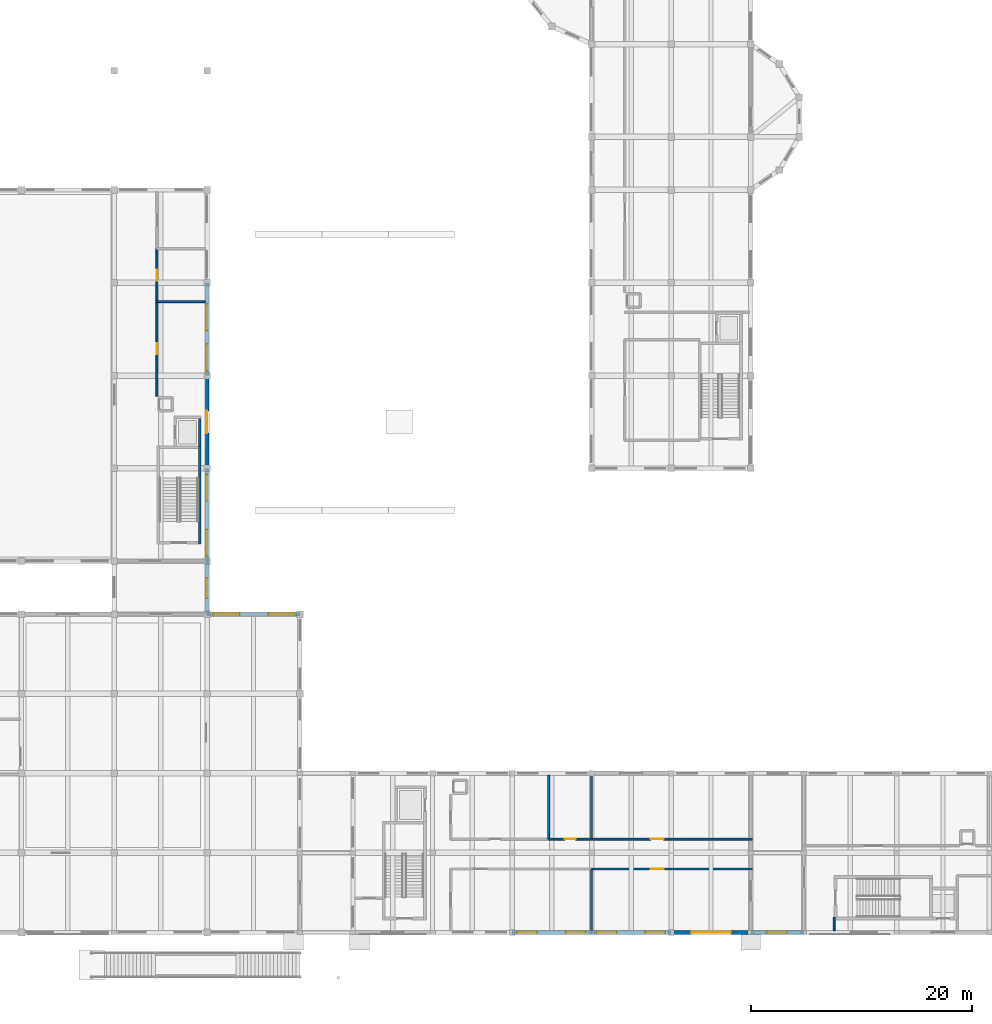
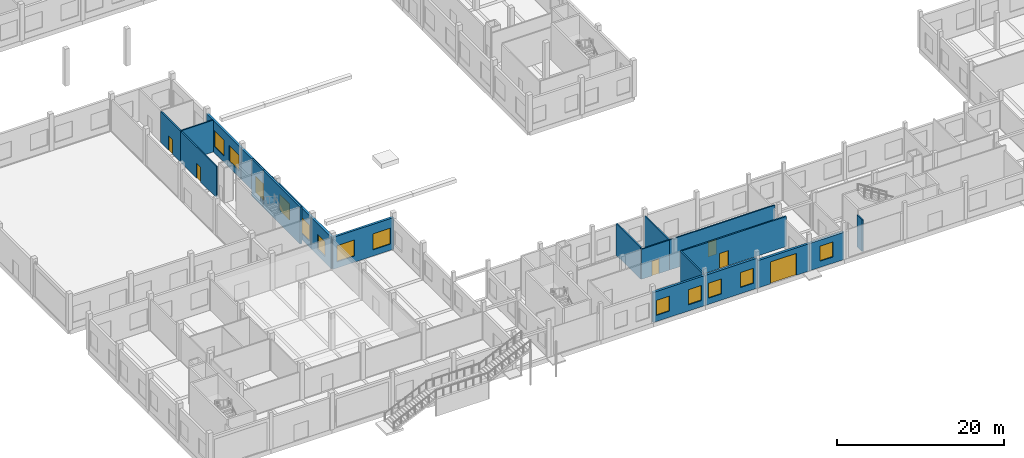
# One storey, part 18 of 41: 21 walls, 12 windows, 7 doors, 19 openings.
"""IFC4 building model written with IfcOpenShell, lengths in metres."""

from ifc_helpers import new_model, si_unit, direction, frame, frame_2d, origin, place, context, subcontext, project, spatial, rectangle, extrude, material, layer, layer_set, type_object, element, fill, save


model = new_model("IFC4")

# Units and contexts
model_context = context("Model", 3, precision=1e-05, world=origin(), true_north=direction((0.0, 1.0)))
body_context = subcontext(model_context, "Body", "Model", "MODEL_VIEW")
ifc_project = project(units=[si_unit("LENGTHUNIT", "METRE"), si_unit("AREAUNIT", "SQUARE_METRE"), si_unit("VOLUMEUNIT", "CUBIC_METRE"), si_unit("PLANEANGLEUNIT", "RADIAN"), si_unit("MASSUNIT", "GRAM", prefix="KILO")], contexts=[model_context])

# Site, building, storey
site_placement = place(None, origin())
site = spatial("IfcSite", under=ifc_project, at=site_placement, CompositionType="ELEMENT")
building_placement = place(site_placement, origin())
building = spatial("IfcBuilding", under=site, at=building_placement, Name="Kahlenmark Community Centre", CompositionType="ELEMENT")
storey_placement = place(building_placement, origin())
storey = spatial("IfcBuildingStorey", under=building, at=storey_placement, Name="L00", CompositionType="ELEMENT", Elevation=0.0)

# Walls
ifc_material_1 = material(Name="Concrete C35/45", Category="concrete")
ifc_layer_1 = layer(ifc_material_1, 0.25)
ifc_layer_set_1 = layer_set([ifc_layer_1], Name="Concrete C35/45")
wall_type_1 = type_object("IfcWallType", Name="WT-CORE-250", PredefinedType="SHEAR", material=ifc_layer_set_1)
wall_1_placement = place(storey_placement, frame((36.925048828125, 43.949951171875, 0.0), z_axis=(0.0, 0.0, 1.0), x_axis=(0.0, 1.0, 0.0)))
element("IfcWall", 1, at=wall_1_placement, inside=storey, type_object=wall_type_1, Name="Core K2 shear wall WL-CORE-K2-L00-0046", PredefinedType="SHEAR", context=body_context, shape_type="SweptSolid", body=[
    extrude(rectangle(XDim=8.900146484375, YDim=0.25, at=frame_2d((4.4501953125, 0.0))), origin(), (0.0, 0.0, 1.0), 5.39990234375),
])
wall_2_placement = place(storey_placement, frame((36.925048828125, 52.85009765625, 0.0), z_axis=(0.0, 0.0, 1.0), x_axis=(0.0, 1.0, 0.0)))
element("IfcWall", 2, at=wall_2_placement, inside=storey, type_object=wall_type_1, Name="Core K2 shear wall WL-CORE-K2-L00-0049", PredefinedType="SHEAR", context=body_context, shape_type="SweptSolid", body=[
    extrude(rectangle(XDim=2.7099609375, YDim=0.25, at=frame_2d((1.35498046875, 0.0))), origin(), (0.0, 0.0, 1.0), 5.39990234375),
])

# Wall, openings, windows
ifc_material_2 = material(Name="Danube limestone masonry", Category="masonry")
ifc_layer_2 = layer(ifc_material_2, 0.320068359375)
ifc_layer_set_2 = layer_set([ifc_layer_2], Name="Danube limestone masonry")
wall_type_2 = type_object("IfcWallType", Name="WT-EW-320", PredefinedType="SOLIDWALL", material=ifc_layer_set_2)
wall_3_placement = place(storey_placement, frame((46.0, 37.60009765625, 0.0), z_axis=(0.0, 0.0, 1.0), x_axis=(-1.0, 0.0, 0.0)))
wall_3 = element("IfcWall", 3, at=wall_3_placement, inside=storey, type_object=wall_type_2, Name="Exterior wall WL-EXT-L00-0143", PredefinedType="SOLIDWALL", context=body_context, shape_type="SweptSolid", body=[
    extrude(rectangle(XDim=8.39990234375, YDim=0.320068359375, at=frame_2d((4.199951171875, 0.0))), origin(), (0.0, 0.0, 1.0), 4.639892578125),
])
opening_1_placement = place(wall_3_placement, frame((0.4599609375, 0.0, 0.89990234375)))
opening_1 = element("IfcOpeningElement", 4, at=opening_1_placement, cuts=wall_3, Name="Opening W-240X235", PredefinedType="OPENING", context=body_context, shape_type="SweptSolid", body=[
    extrude(rectangle(XDim=2.39990234375, YDim=2.35009765625, at=frame_2d((1.199951171875, 1.175048828125))), frame((0.0, 0.169921875, 0.0), z_axis=(0.0, -1.0, 0.0), x_axis=(1.0, 0.0, 0.0)), (0.0, 0.0, 1.0), 0.340087890625),
])
opening_2_placement = place(wall_3_placement, frame((5.4599609375, 0.0, 0.89990234375)))
opening_2 = element("IfcOpeningElement", 5, at=opening_2_placement, cuts=wall_3, Name="Opening W-240X235", PredefinedType="OPENING", context=body_context, shape_type="SweptSolid", body=[
    extrude(rectangle(XDim=2.39990234375, YDim=2.35009765625, at=frame_2d((1.199951171875, 1.175048828125))), frame((0.0, 0.169921875, 0.0), z_axis=(0.0, -1.0, 0.0), x_axis=(1.0, 0.0, 0.0)), (0.0, 0.0, 1.0), 0.340087890625),
])
ifc_material_3 = material(Name="Triple low-e insulated glazing in timber-aluminium frame", Category="wood")
window_type_1 = type_object("IfcWindowType", Name="WNT-240X235", PartitioningType="TRIPLE_PANEL_VERTICAL", PredefinedType="WINDOW", material=ifc_material_3)
window_1_placement = place(opening_1_placement, origin())
window_1 = element("IfcWindow", 6, at=window_1_placement, inside=storey, type_object=window_type_1, Name="Window W-240X235 #0012", OverallHeight=2.35009765625, OverallWidth=2.39990234375, PartitioningType="TRIPLE_PANEL_VERTICAL", PredefinedType="WINDOW", context=body_context, shape_type="SweptSolid", body=[
    extrude(rectangle(XDim=2.39990234375, YDim=2.35009765625, at=frame_2d((1.199951171875, 1.175048828125))), frame((0.0, 0.030029296875, 0.0), z_axis=(0.0, -1.0, 0.0), x_axis=(1.0, 0.0, 0.0)), (0.0, 0.0, 1.0), 0.06005859375),
])
fill(opening_1, window_1)
window_2_placement = place(opening_2_placement, origin())
window_2 = element("IfcWindow", 7, at=window_2_placement, inside=storey, type_object=window_type_1, Name="Window W-240X235 #0013", OverallHeight=2.35009765625, OverallWidth=2.39990234375, PartitioningType="TRIPLE_PANEL_VERTICAL", PredefinedType="WINDOW", context=body_context, shape_type="SweptSolid", body=[
    extrude(rectangle(XDim=2.39990234375, YDim=2.35009765625, at=frame_2d((1.199951171875, 1.175048828125))), frame((0.0, 0.030029296875, 0.0), z_axis=(0.0, -1.0, 0.0), x_axis=(1.0, 0.0, 0.0)), (0.0, 0.0, 1.0), 0.06005859375),
])
fill(opening_2, window_2)

wall_4_placement = place(storey_placement, frame((37.60009765625, 42.39990234375, 0.0), z_axis=(0.0, 0.0, 1.0), x_axis=(0.0, 1.0, 0.0)))
wall_4 = element("IfcWall", 8, at=wall_4_placement, inside=storey, type_object=wall_type_2, Name="Exterior wall WL-EXT-L00-0163", PredefinedType="SOLIDWALL", context=body_context, shape_type="SweptSolid", body=[
    extrude(rectangle(XDim=8.400146484375, YDim=0.320068359375, at=frame_2d((4.2001953125, 0.0))), origin(), (0.0, 0.0, 1.0), 4.639892578125),
])
opening_3_placement = place(wall_4_placement, frame((0.4599609375, 0.0, 0.89990234375)))
opening_3 = element("IfcOpeningElement", 9, at=opening_3_placement, cuts=wall_4, Name="Opening W-240X235", PredefinedType="OPENING", context=body_context, shape_type="SweptSolid", body=[
    extrude(rectangle(XDim=2.39990234375, YDim=2.35009765625, at=frame_2d((1.199951171875, 1.175048828125))), frame((0.0, 0.169921875, 0.0), z_axis=(0.0, -1.0, 0.0), x_axis=(1.0, 0.0, 0.0)), (0.0, 0.0, 1.0), 0.340087890625),
])
opening_4_placement = place(wall_4_placement, frame((5.4599609375, 0.0, 0.89990234375)))
opening_4 = element("IfcOpeningElement", 10, at=opening_4_placement, cuts=wall_4, Name="Opening W-240X235", PredefinedType="OPENING", context=body_context, shape_type="SweptSolid", body=[
    extrude(rectangle(XDim=2.39990234375, YDim=2.35009765625, at=frame_2d((1.199951171875, 1.175048828125))), frame((0.0, 0.169921875, 0.0), z_axis=(0.0, -1.0, 0.0), x_axis=(1.0, 0.0, 0.0)), (0.0, 0.0, 1.0), 0.340087890625),
])
window_3_placement = place(opening_3_placement, origin())
window_3 = element("IfcWindow", 11, at=window_3_placement, inside=storey, type_object=window_type_1, Name="Window W-240X235 #0042", OverallHeight=2.35009765625, OverallWidth=2.39990234375, PartitioningType="TRIPLE_PANEL_VERTICAL", PredefinedType="WINDOW", context=body_context, shape_type="SweptSolid", body=[
    extrude(rectangle(XDim=2.39990234375, YDim=2.35009765625, at=frame_2d((1.199951171875, 1.175048828125))), frame((0.0, 0.030029296875, 0.0), z_axis=(0.0, -1.0, 0.0), x_axis=(1.0, 0.0, 0.0)), (0.0, 0.0, 1.0), 0.06005859375),
])
fill(opening_3, window_3)
window_4_placement = place(opening_4_placement, origin())
window_4 = element("IfcWindow", 12, at=window_4_placement, inside=storey, type_object=window_type_1, Name="Window W-240X235 #0043", OverallHeight=2.35009765625, OverallWidth=2.39990234375, PartitioningType="TRIPLE_PANEL_VERTICAL", PredefinedType="WINDOW", context=body_context, shape_type="SweptSolid", body=[
    extrude(rectangle(XDim=2.39990234375, YDim=2.35009765625, at=frame_2d((1.199951171875, 1.175048828125))), frame((0.0, 0.030029296875, 0.0), z_axis=(0.0, -1.0, 0.0), x_axis=(1.0, 0.0, 0.0)), (0.0, 0.0, 1.0), 0.06005859375),
])
fill(opening_4, window_4)

# Wall, opening, door
wall_5_placement = place(storey_placement, frame((37.60009765625, 50.800048828125, 0.0), z_axis=(0.0, 0.0, 1.0), x_axis=(0.0, 1.0, 0.0)))
wall_5 = element("IfcWall", 13, at=wall_5_placement, inside=storey, type_object=wall_type_2, Name="Exterior wall WL-EXT-L00-0164", PredefinedType="SOLIDWALL", context=body_context, shape_type="SweptSolid", body=[
    extrude(rectangle(XDim=8.39990234375, YDim=0.320068359375, at=frame_2d((4.199951171875, 0.0))), origin(), (0.0, 0.0, 1.0), 4.5400390625),
])
opening_5_placement = place(wall_5_placement, frame((3.199951171875, 0.0, -0.010009765625)))
opening_5 = element("IfcOpeningElement", 14, at=opening_5_placement, cuts=wall_5, Name="Opening D-E03", PredefinedType="OPENING", context=body_context, shape_type="SweptSolid", body=[
    extrude(rectangle(XDim=2.0, YDim=2.409912109375, at=frame_2d((1.0, 1.205078125))), frame((0.0, 0.169921875, 0.0), z_axis=(0.0, -1.0, 0.0), x_axis=(1.0, 0.0, 0.0)), (0.0, 0.0, 1.0), 0.340087890625),
])
ifc_material_4 = material(Name="Thermally broken glazed aluminium double entrance door", Category="aluminium")
door_type_1 = type_object("IfcDoorType", Name="DT-EXT-200X240", OperationType="NOTDEFINED", PredefinedType="DOOR", material=ifc_material_4)
door_1_placement = place(opening_5_placement, frame((0.0, 0.0, 0.010009765625)))
door_1 = element("IfcDoor", 15, at=door_1_placement, inside=storey, type_object=door_type_1, Name="Exterior door D-E03", OperationType="DOUBLE_SWING_LEFT", OverallHeight=2.39990234375, OverallWidth=2.0, PredefinedType="DOOR", context=body_context, shape_type="SweptSolid", body=[
    extrude(rectangle(XDim=2.0, YDim=2.39990234375, at=frame_2d((1.0, 1.199951171875))), frame((0.0, 0.02490234375, 0.0), z_axis=(0.0, -1.0, 0.0), x_axis=(1.0, 0.0, 0.0)), (0.0, 0.0, 1.0), 0.050048828125),
])
fill(opening_5, door_1)

# Wall, openings, windows
wall_6_placement = place(storey_placement, frame((37.60009765625, 59.199951171875, 0.0), z_axis=(0.0, 0.0, 1.0), x_axis=(0.0, 1.0, 0.0)))
wall_6 = element("IfcWall", 16, at=wall_6_placement, inside=storey, type_object=wall_type_2, Name="Exterior wall WL-EXT-L00-0165", PredefinedType="SOLIDWALL", context=body_context, shape_type="SweptSolid", body=[
    extrude(rectangle(XDim=8.400146484375, YDim=0.320068359375, at=frame_2d((4.2001953125, 0.0))), origin(), (0.0, 0.0, 1.0), 4.5400390625),
])
opening_6_placement = place(wall_6_placement, frame((0.4599609375, 0.0, 0.89990234375)))
opening_6 = element("IfcOpeningElement", 17, at=opening_6_placement, cuts=wall_6, Name="Opening W-240X235", PredefinedType="OPENING", context=body_context, shape_type="SweptSolid", body=[
    extrude(rectangle(XDim=2.39990234375, YDim=2.35009765625, at=frame_2d((1.199951171875, 1.175048828125))), frame((0.0, 0.169921875, 0.0), z_axis=(0.0, -1.0, 0.0), x_axis=(1.0, 0.0, 0.0)), (0.0, 0.0, 1.0), 0.340087890625),
])
opening_7_placement = place(wall_6_placement, frame((4.06005859375, 0.0, 0.89990234375)))
opening_7 = element("IfcOpeningElement", 18, at=opening_7_placement, cuts=wall_6, Name="Opening W-240X235", PredefinedType="OPENING", context=body_context, shape_type="SweptSolid", body=[
    extrude(rectangle(XDim=2.39990234375, YDim=2.35009765625, at=frame_2d((1.199951171875, 1.175048828125))), frame((0.0, 0.169921875, 0.0), z_axis=(0.0, -1.0, 0.0), x_axis=(1.0, 0.0, 0.0)), (0.0, 0.0, 1.0), 0.340087890625),
])
window_5_placement = place(opening_6_placement, origin())
window_5 = element("IfcWindow", 19, at=window_5_placement, inside=storey, type_object=window_type_1, Name="Window W-240X235 #0044", OverallHeight=2.35009765625, OverallWidth=2.39990234375, PartitioningType="TRIPLE_PANEL_VERTICAL", PredefinedType="WINDOW", context=body_context, shape_type="SweptSolid", body=[
    extrude(rectangle(XDim=2.39990234375, YDim=2.35009765625, at=frame_2d((1.199951171875, 1.175048828125))), frame((0.0, 0.030029296875, 0.0), z_axis=(0.0, -1.0, 0.0), x_axis=(1.0, 0.0, 0.0)), (0.0, 0.0, 1.0), 0.06005859375),
])
fill(opening_6, window_5)
window_6_placement = place(opening_7_placement, origin())
window_6 = element("IfcWindow", 20, at=window_6_placement, inside=storey, type_object=window_type_1, Name="Window W-240X235 #0045", OverallHeight=2.35009765625, OverallWidth=2.39990234375, PartitioningType="TRIPLE_PANEL_VERTICAL", PredefinedType="WINDOW", context=body_context, shape_type="SweptSolid", body=[
    extrude(rectangle(XDim=2.39990234375, YDim=2.35009765625, at=frame_2d((1.199951171875, 1.175048828125))), frame((0.0, 0.030029296875, 0.0), z_axis=(0.0, -1.0, 0.0), x_axis=(1.0, 0.0, 0.0)), (0.0, 0.0, 1.0), 0.06005859375),
])
fill(opening_7, window_6)

wall_7_placement = place(storey_placement, frame((65.199951171875, 8.800048828125, 0.0), z_axis=(0.0, 0.0, 1.0), x_axis=(1.0, 0.0, 0.0)))
wall_7 = element("IfcWall", 21, at=wall_7_placement, inside=storey, type_object=wall_type_2, Name="Exterior wall WL-EXT-L00-0169", PredefinedType="SOLIDWALL", context=body_context, shape_type="SweptSolid", body=[
    extrude(rectangle(XDim=7.199951171875, YDim=0.320068359375, at=frame_2d((3.60009765625, 0.0))), origin(), (0.0, 0.0, 1.0), 4.389892578125),
])
opening_8_placement = place(wall_7_placement, frame((0.4599609375, 0.0, 0.89990234375)))
opening_8 = element("IfcOpeningElement", 22, at=opening_8_placement, cuts=wall_7, Name="Opening W-180X220", PredefinedType="OPENING", context=body_context, shape_type="SweptSolid", body=[
    extrude(rectangle(XDim=1.800048828125, YDim=2.199951171875, at=frame_2d((0.89990234375, 1.10009765625))), frame((0.0, 0.169921875, 0.0), z_axis=(0.0, -1.0, 0.0), x_axis=(1.0, 0.0, 0.0)), (0.0, 0.0, 1.0), 0.340087890625),
])
opening_9_placement = place(wall_7_placement, frame((4.860107421875, 0.0, 0.89990234375)))
opening_9 = element("IfcOpeningElement", 23, at=opening_9_placement, cuts=wall_7, Name="Opening W-180X220", PredefinedType="OPENING", context=body_context, shape_type="SweptSolid", body=[
    extrude(rectangle(XDim=1.800048828125, YDim=2.199951171875, at=frame_2d((0.89990234375, 1.10009765625))), frame((0.0, 0.169921875, 0.0), z_axis=(0.0, -1.0, 0.0), x_axis=(1.0, 0.0, 0.0)), (0.0, 0.0, 1.0), 0.340087890625),
])
window_type_2 = type_object("IfcWindowType", Name="WNT-180X220", PartitioningType="DOUBLE_PANEL_VERTICAL", PredefinedType="WINDOW", material=ifc_material_3)
window_7_placement = place(opening_8_placement, origin())
window_7 = element("IfcWindow", 24, at=window_7_placement, inside=storey, type_object=window_type_2, Name="Window W-180X220 #0050", OverallHeight=2.199951171875, OverallWidth=1.800048828125, PartitioningType="DOUBLE_PANEL_VERTICAL", PredefinedType="WINDOW", context=body_context, shape_type="SweptSolid", body=[
    extrude(rectangle(XDim=1.800048828125, YDim=2.199951171875, at=frame_2d((0.89990234375, 1.10009765625))), frame((0.0, 0.030029296875, 0.0), z_axis=(0.0, -1.0, 0.0), x_axis=(1.0, 0.0, 0.0)), (0.0, 0.0, 1.0), 0.06005859375),
])
fill(opening_8, window_7)
window_8_placement = place(opening_9_placement, origin())
window_8 = element("IfcWindow", 25, at=window_8_placement, inside=storey, type_object=window_type_2, Name="Window W-180X220 #0051", OverallHeight=2.199951171875, OverallWidth=1.800048828125, PartitioningType="DOUBLE_PANEL_VERTICAL", PredefinedType="WINDOW", context=body_context, shape_type="SweptSolid", body=[
    extrude(rectangle(XDim=1.800048828125, YDim=2.199951171875, at=frame_2d((0.89990234375, 1.10009765625))), frame((0.0, 0.030029296875, 0.0), z_axis=(0.0, -1.0, 0.0), x_axis=(1.0, 0.0, 0.0)), (0.0, 0.0, 1.0), 0.06005859375),
])
fill(opening_9, window_8)

wall_8_placement = place(storey_placement, frame((72.39990234375, 8.800048828125, 0.0), z_axis=(0.0, 0.0, 1.0), x_axis=(1.0, 0.0, 0.0)))
wall_8 = element("IfcWall", 26, at=wall_8_placement, inside=storey, type_object=wall_type_2, Name="Exterior wall WL-EXT-L00-0170", PredefinedType="SOLIDWALL", context=body_context, shape_type="SweptSolid", body=[
    extrude(rectangle(XDim=7.2001953125, YDim=0.320068359375, at=frame_2d((3.60009765625, 0.0))), origin(), (0.0, 0.0, 1.0), 4.389892578125),
])
opening_10_placement = place(wall_8_placement, frame((0.4599609375, 0.0, 0.89990234375)))
opening_10 = element("IfcOpeningElement", 27, at=opening_10_placement, cuts=wall_8, Name="Opening W-180X220", PredefinedType="OPENING", context=body_context, shape_type="SweptSolid", body=[
    extrude(rectangle(XDim=1.800048828125, YDim=2.199951171875, at=frame_2d((0.89990234375, 1.10009765625))), frame((0.0, 0.169921875, 0.0), z_axis=(0.0, -1.0, 0.0), x_axis=(1.0, 0.0, 0.0)), (0.0, 0.0, 1.0), 0.340087890625),
])
opening_11_placement = place(wall_8_placement, frame((4.860107421875, 0.0, 0.89990234375)))
opening_11 = element("IfcOpeningElement", 28, at=opening_11_placement, cuts=wall_8, Name="Opening W-180X220", PredefinedType="OPENING", context=body_context, shape_type="SweptSolid", body=[
    extrude(rectangle(XDim=1.800048828125, YDim=2.199951171875, at=frame_2d((0.89990234375, 1.10009765625))), frame((0.0, 0.169921875, 0.0), z_axis=(0.0, -1.0, 0.0), x_axis=(1.0, 0.0, 0.0)), (0.0, 0.0, 1.0), 0.340087890625),
])
window_9_placement = place(opening_10_placement, origin())
window_9 = element("IfcWindow", 29, at=window_9_placement, inside=storey, type_object=window_type_2, Name="Window W-180X220 #0052", OverallHeight=2.199951171875, OverallWidth=1.800048828125, PartitioningType="DOUBLE_PANEL_VERTICAL", PredefinedType="WINDOW", context=body_context, shape_type="SweptSolid", body=[
    extrude(rectangle(XDim=1.800048828125, YDim=2.199951171875, at=frame_2d((0.89990234375, 1.10009765625))), frame((0.0, 0.030029296875, 0.0), z_axis=(0.0, -1.0, 0.0), x_axis=(1.0, 0.0, 0.0)), (0.0, 0.0, 1.0), 0.06005859375),
])
fill(opening_10, window_9)
window_10_placement = place(opening_11_placement, origin())
window_10 = element("IfcWindow", 30, at=window_10_placement, inside=storey, type_object=window_type_2, Name="Window W-180X220 #0053", OverallHeight=2.199951171875, OverallWidth=1.800048828125, PartitioningType="DOUBLE_PANEL_VERTICAL", PredefinedType="WINDOW", context=body_context, shape_type="SweptSolid", body=[
    extrude(rectangle(XDim=1.800048828125, YDim=2.199951171875, at=frame_2d((0.89990234375, 1.10009765625))), frame((0.0, 0.030029296875, 0.0), z_axis=(0.0, -1.0, 0.0), x_axis=(1.0, 0.0, 0.0)), (0.0, 0.0, 1.0), 0.06005859375),
])
fill(opening_11, window_10)

# Wall, opening, door
wall_9_placement = place(storey_placement, frame((79.60009765625, 8.800048828125, 0.0), z_axis=(0.0, 0.0, 1.0), x_axis=(1.0, 0.0, 0.0)))
wall_9 = element("IfcWall", 31, at=wall_9_placement, inside=storey, type_object=wall_type_2, Name="Exterior wall WL-EXT-L00-0171", PredefinedType="SOLIDWALL", context=body_context, shape_type="SweptSolid", body=[
    extrude(rectangle(XDim=7.199951171875, YDim=0.320068359375, at=frame_2d((3.60009765625, 0.0))), origin(), (0.0, 0.0, 1.0), 3.989990234375),
])
opening_12_placement = place(wall_9_placement, frame((1.800048828125, 0.0, -0.010009765625)))
opening_12 = element("IfcOpeningElement", 32, at=opening_12_placement, cuts=wall_9, Name="Opening D-LB01", PredefinedType="OPENING", context=body_context, shape_type="SweptSolid", body=[
    extrude(rectangle(XDim=3.60009765625, YDim=3.2099609375, at=frame_2d((1.800048828125, 1.60498046875))), frame((0.0, 0.169921875, 0.0), z_axis=(0.0, -1.0, 0.0), x_axis=(1.0, 0.0, 0.0)), (0.0, 0.0, 1.0), 0.340087890625),
])
ifc_material_5 = material(Name="Insulated motorised sectional shutter gate")
door_type_2 = type_object("IfcDoorType", Name="DT-GATE-360X320", OperationType="NOTDEFINED", PredefinedType="GATE", material=ifc_material_5)
door_2_placement = place(opening_12_placement, frame((0.0, 0.0, 0.010009765625)))
door_2 = element("IfcDoor", 33, at=door_2_placement, inside=storey, type_object=door_type_2, Name="Exterior door D-LB01", OperationType="ROLLINGUP", OverallHeight=3.199951171875, OverallWidth=3.60009765625, PredefinedType="GATE", context=body_context, shape_type="SweptSolid", body=[
    extrude(rectangle(XDim=3.60009765625, YDim=3.199951171875, at=frame_2d((1.800048828125, 1.60009765625))), frame((0.0, 0.02490234375, 0.0), z_axis=(0.0, -1.0, 0.0), x_axis=(1.0, 0.0, 0.0)), (0.0, 0.0, 1.0), 0.050048828125),
])
fill(opening_12, door_2)

# Wall, opening, window
wall_10_placement = place(storey_placement, frame((37.60009765625, 37.60009765625, 0.0), z_axis=(0.0, 0.0, 1.0), x_axis=(0.0, 1.0, 0.0)))
wall_10 = element("IfcWall", 34, at=wall_10_placement, inside=storey, type_object=wall_type_2, Name="Exterior wall WL-EXT-L00-0240", PredefinedType="SOLIDWALL", context=body_context, shape_type="SweptSolid", body=[
    extrude(rectangle(XDim=4.7998046875, YDim=0.320068359375, at=frame_2d((2.39990234375, 0.0))), origin(), (0.0, 0.0, 1.0), 4.639892578125),
])
opening_13_placement = place(wall_10_placement, frame((1.4599609375, 0.0, 0.89990234375)))
opening_13 = element("IfcOpeningElement", 35, at=opening_13_placement, cuts=wall_10, Name="Opening W-180X220", PredefinedType="OPENING", context=body_context, shape_type="SweptSolid", body=[
    extrude(rectangle(XDim=1.800048828125, YDim=2.199951171875, at=frame_2d((0.89990234375, 1.10009765625))), frame((0.0, 0.169921875, 0.0), z_axis=(0.0, -1.0, 0.0), x_axis=(1.0, 0.0, 0.0)), (0.0, 0.0, 1.0), 0.340087890625),
])
window_11_placement = place(opening_13_placement, origin())
window_11 = element("IfcWindow", 36, at=window_11_placement, inside=storey, type_object=window_type_2, Name="Window W-180X220 #0160", OverallHeight=2.199951171875, OverallWidth=1.800048828125, PartitioningType="DOUBLE_PANEL_VERTICAL", PredefinedType="WINDOW", context=body_context, shape_type="SweptSolid", body=[
    extrude(rectangle(XDim=1.800048828125, YDim=2.199951171875, at=frame_2d((0.89990234375, 1.10009765625))), frame((0.0, 0.030029296875, 0.0), z_axis=(0.0, -1.0, 0.0), x_axis=(1.0, 0.0, 0.0)), (0.0, 0.0, 1.0), 0.06005859375),
])
fill(opening_13, window_11)

wall_11_placement = place(storey_placement, frame((86.800048828125, 8.800048828125, 0.0), z_axis=(0.0, 0.0, 1.0), x_axis=(1.0, 0.0, 0.0)))
wall_11 = element("IfcWall", 37, at=wall_11_placement, inside=storey, type_object=wall_type_2, Name="Exterior wall WL-EXT-L00-0241", PredefinedType="SOLIDWALL", context=body_context, shape_type="SweptSolid", body=[
    extrude(rectangle(XDim=4.800048828125, YDim=0.320068359375, at=frame_2d((2.39990234375, 0.0))), origin(), (0.0, 0.0, 1.0), 3.989990234375),
])
opening_14_placement = place(wall_11_placement, frame((1.4599609375, 0.0, 0.89990234375)))
opening_14 = element("IfcOpeningElement", 38, at=opening_14_placement, cuts=wall_11, Name="Opening W-180X220", PredefinedType="OPENING", context=body_context, shape_type="SweptSolid", body=[
    extrude(rectangle(XDim=1.800048828125, YDim=2.199951171875, at=frame_2d((0.89990234375, 1.10009765625))), frame((0.0, 0.169921875, 0.0), z_axis=(0.0, -1.0, 0.0), x_axis=(1.0, 0.0, 0.0)), (0.0, 0.0, 1.0), 0.340087890625),
])
window_12_placement = place(opening_14_placement, origin())
window_12 = element("IfcWindow", 39, at=window_12_placement, inside=storey, type_object=window_type_2, Name="Window W-180X220 #0161", OverallHeight=2.199951171875, OverallWidth=1.800048828125, PartitioningType="DOUBLE_PANEL_VERTICAL", PredefinedType="WINDOW", context=body_context, shape_type="SweptSolid", body=[
    extrude(rectangle(XDim=1.800048828125, YDim=2.199951171875, at=frame_2d((0.89990234375, 1.10009765625))), frame((0.0, 0.030029296875, 0.0), z_axis=(0.0, -1.0, 0.0), x_axis=(1.0, 0.0, 0.0)), (0.0, 0.0, 1.0), 0.06005859375),
])
fill(opening_14, window_12)

# Wall, opening, door
ifc_material_6 = material(Name="Gypsum plasterboard partition", Category="gypsum")
ifc_layer_3 = layer(ifc_material_6, 0.179931640625)
ifc_layer_set_3 = layer_set([ifc_layer_3], Name="Gypsum plasterboard partition")
wall_type_3 = type_object("IfcWallType", Name="WT-PW-180", PredefinedType="PARTITIONING", material=ifc_layer_set_3)
wall_12_placement = place(storey_placement, frame((33.050048828125, 57.35009765625, 0.0), z_axis=(0.0, 0.0, 1.0), x_axis=(0.0, 1.0, 0.0)))
wall_12 = element("IfcWall", 40, at=wall_12_placement, inside=storey, type_object=wall_type_3, Name="Interior partition WL-INT-L00-0026", PredefinedType="PARTITIONING", context=body_context, shape_type="SweptSolid", body=[
    extrude(rectangle(XDim=8.5498046875, YDim=0.179931640625, at=frame_2d((4.27490234375, 0.0))), origin(), (0.0, 0.0, 1.0), 4.5400390625),
])
opening_15_placement = place(wall_12_placement, frame((3.77490234375, 0.0, -0.010009765625)))
opening_15 = element("IfcOpeningElement", 41, at=opening_15_placement, cuts=wall_12, Name="Opening D-L00-018", PredefinedType="OPENING", context=body_context, shape_type="SweptSolid", body=[
    extrude(rectangle(XDim=1.0, YDim=2.159912109375, at=frame_2d((0.5, 1.080078125))), frame((0.0, 0.099853515625, 0.0), z_axis=(0.0, -1.0, 0.0), x_axis=(1.0, 0.0, 0.0)), (0.0, 0.0, 1.0), 0.199951171875),
])
ifc_material_7 = material(Name="Oak timber veneer door leaf", Category="wood")
door_type_3 = type_object("IfcDoorType", Name="DT-INT-100X215", OperationType="NOTDEFINED", PredefinedType="DOOR", material=ifc_material_7)
door_3_placement = place(opening_15_placement, frame((1.0, 0.0, 0.010009765625), z_axis=(0.0, 0.0, 1.0), x_axis=(-1.0, 0.0, 0.0)))
door_3 = element("IfcDoor", 42, at=door_3_placement, inside=storey, type_object=door_type_3, Name="Interior door D-L00-018", OperationType="SINGLE_SWING_LEFT", OverallHeight=2.14990234375, OverallWidth=1.0, PredefinedType="DOOR", context=body_context, shape_type="SweptSolid", body=[
    extrude(rectangle(XDim=1.0, YDim=2.14990234375, at=frame_2d((0.5, 1.074951171875))), frame((0.0, 0.02490234375, 0.0), z_axis=(0.0, -1.0, 0.0), x_axis=(1.0, 0.0, 0.0)), (0.0, 0.0, 1.0), 0.050048828125),
])
fill(opening_15, door_3)

wall_13_placement = place(storey_placement, frame((33.050048828125, 65.89990234375, 0.0), z_axis=(0.0, 0.0, 1.0), x_axis=(0.0, 1.0, 0.0)))
wall_13 = element("IfcWall", 43, at=wall_13_placement, inside=storey, type_object=wall_type_3, Name="Interior partition WL-INT-L00-0027", PredefinedType="PARTITIONING", context=body_context, shape_type="SweptSolid", body=[
    extrude(rectangle(XDim=4.800048828125, YDim=0.179931640625, at=frame_2d((2.39990234375, 0.0))), origin(), (0.0, 0.0, 1.0), 4.5400390625),
])
opening_16_placement = place(wall_13_placement, frame((1.89990234375, 0.0, -0.010009765625)))
opening_16 = element("IfcOpeningElement", 44, at=opening_16_placement, cuts=wall_13, Name="Opening D-L00-019", PredefinedType="OPENING", context=body_context, shape_type="SweptSolid", body=[
    extrude(rectangle(XDim=1.0, YDim=2.159912109375, at=frame_2d((0.5, 1.080078125))), frame((0.0, 0.099853515625, 0.0), z_axis=(0.0, -1.0, 0.0), x_axis=(1.0, 0.0, 0.0)), (0.0, 0.0, 1.0), 0.199951171875),
])
door_4_placement = place(opening_16_placement, frame((0.0, 0.0, 0.010009765625)))
door_4 = element("IfcDoor", 45, at=door_4_placement, inside=storey, type_object=door_type_3, Name="Interior door D-L00-019", OperationType="SINGLE_SWING_RIGHT", OverallHeight=2.14990234375, OverallWidth=1.0, PredefinedType="DOOR", context=body_context, shape_type="SweptSolid", body=[
    extrude(rectangle(XDim=1.0, YDim=2.14990234375, at=frame_2d((0.5, 1.074951171875))), frame((0.0, 0.02490234375, 0.0), z_axis=(0.0, -1.0, 0.0), x_axis=(1.0, 0.0, 0.0)), (0.0, 0.0, 1.0), 0.050048828125),
])
fill(opening_16, door_4)

# Wall
wall_14_placement = place(storey_placement, frame((33.050048828125, 65.89990234375, 0.0), z_axis=(0.0, 0.0, 1.0), x_axis=(1.0, 0.0, 0.0)))
element("IfcWall", 46, at=wall_14_placement, inside=storey, type_object=wall_type_3, Name="Interior partition WL-INT-L00-0029", PredefinedType="PARTITIONING", context=body_context, shape_type="SweptSolid", body=[
    extrude(rectangle(XDim=4.39990234375, YDim=0.179931640625, at=frame_2d((2.199951171875, 0.0))), origin(), (0.0, 0.0, 1.0), 4.639892578125),
])

# Wall, opening, door
wall_15_placement = place(storey_placement, frame((68.5, 17.25, 0.0), z_axis=(0.0, 0.0, 1.0), x_axis=(1.0, 0.0, 0.0)))
wall_15 = element("IfcWall", 47, at=wall_15_placement, inside=storey, type_object=wall_type_3, Name="Interior partition WL-INT-L00-0037", PredefinedType="PARTITIONING", context=body_context, shape_type="SweptSolid", body=[
    extrude(rectangle(XDim=3.89990234375, YDim=0.179931640625, at=frame_2d((1.949951171875, 0.0))), origin(), (0.0, 0.0, 1.0), 4.389892578125),
])
opening_17_placement = place(wall_15_placement, frame((1.449951171875, 0.0, -0.010009765625)))
opening_17 = element("IfcOpeningElement", 48, at=opening_17_placement, cuts=wall_15, Name="Opening D-L00-027", PredefinedType="OPENING", context=body_context, shape_type="SweptSolid", body=[
    extrude(rectangle(XDim=1.0, YDim=2.159912109375, at=frame_2d((0.5, 1.080078125))), frame((0.0, 0.099853515625, 0.0), z_axis=(0.0, -1.0, 0.0), x_axis=(1.0, 0.0, 0.0)), (0.0, 0.0, 1.0), 0.199951171875),
])
door_5_placement = place(opening_17_placement, frame((1.0, 0.0, 0.010009765625), z_axis=(0.0, 0.0, 1.0), x_axis=(-1.0, 0.0, 0.0)))
door_5 = element("IfcDoor", 49, at=door_5_placement, inside=storey, type_object=door_type_3, Name="Interior door D-L00-027", OperationType="SINGLE_SWING_RIGHT", OverallHeight=2.14990234375, OverallWidth=1.0, PredefinedType="DOOR", context=body_context, shape_type="SweptSolid", body=[
    extrude(rectangle(XDim=1.0, YDim=2.14990234375, at=frame_2d((0.5, 1.074951171875))), frame((0.0, 0.02490234375, 0.0), z_axis=(0.0, -1.0, 0.0), x_axis=(1.0, 0.0, 0.0)), (0.0, 0.0, 1.0), 0.050048828125),
])
fill(opening_17, door_5)

wall_16_placement = place(storey_placement, frame((72.39990234375, 17.25, 0.0), z_axis=(0.0, 0.0, 1.0), x_axis=(1.0, 0.0, 0.0)))
wall_16 = element("IfcWall", 50, at=wall_16_placement, inside=storey, type_object=wall_type_3, Name="Interior partition WL-INT-L00-0038", PredefinedType="PARTITIONING", context=body_context, shape_type="SweptSolid", body=[
    extrude(rectangle(XDim=14.550048828125, YDim=0.179931640625, at=frame_2d((7.27490234375, 0.0))), origin(), (0.0, 0.0, 1.0), 4.389892578125),
])
opening_18_placement = place(wall_16_placement, frame((5.340087890625, 0.0, -0.010009765625)))
opening_18 = element("IfcOpeningElement", 51, at=opening_18_placement, cuts=wall_16, Name="Opening D-L00-028", PredefinedType="OPENING", context=body_context, shape_type="SweptSolid", body=[
    extrude(rectangle(XDim=1.199951171875, YDim=2.2099609375, at=frame_2d((0.60009765625, 1.10498046875))), frame((0.0, 0.099853515625, 0.0), z_axis=(0.0, -1.0, 0.0), x_axis=(1.0, 0.0, 0.0)), (0.0, 0.0, 1.0), 0.199951171875),
])
ifc_material_8 = material(Name="Fire-rated timber door FD60S", Category="wood")
door_type_4 = type_object("IfcDoorType", Name="DT-FD60-120X220", OperationType="NOTDEFINED", PredefinedType="DOOR", material=ifc_material_8)
door_6_placement = place(opening_18_placement, frame((0.0, 0.0, 0.010009765625)))
door_6 = element("IfcDoor", 52, at=door_6_placement, inside=storey, type_object=door_type_4, Name="Interior door D-L00-028", OperationType="SINGLE_SWING_LEFT", OverallHeight=2.199951171875, OverallWidth=1.199951171875, PredefinedType="DOOR", context=body_context, shape_type="SweptSolid", body=[
    extrude(rectangle(XDim=1.199951171875, YDim=2.199951171875, at=frame_2d((0.60009765625, 1.10009765625))), frame((0.0, 0.02490234375, 0.0), z_axis=(0.0, -1.0, 0.0), x_axis=(1.0, 0.0, 0.0)), (0.0, 0.0, 1.0), 0.050048828125),
])
fill(opening_18, door_6)

# Walls
wall_17_placement = place(storey_placement, frame((68.5, 17.25, 0.0), z_axis=(0.0, 0.0, 1.0), x_axis=(0.0, 1.0, 0.0)))
element("IfcWall", 53, at=wall_17_placement, inside=storey, type_object=wall_type_3, Name="Interior partition WL-INT-L00-0039", PredefinedType="PARTITIONING", context=body_context, shape_type="SweptSolid", body=[
    extrude(rectangle(XDim=5.800048828125, YDim=0.179931640625, at=frame_2d((2.89990234375, 0.0))), origin(), (0.0, 0.0, 1.0), 4.639892578125),
])
wall_18_placement = place(storey_placement, frame((94.35009765625, 8.9599609375, 0.0), z_axis=(0.0, 0.0, 1.0), x_axis=(0.0, 1.0, 0.0)))
element("IfcWall", 54, at=wall_18_placement, inside=storey, type_object=wall_type_3, Name="Interior partition WL-INT-L00-0044", PredefinedType="PARTITIONING", context=body_context, shape_type="SweptSolid", body=[
    extrude(rectangle(XDim=1.239990234375, YDim=0.179931640625, at=frame_2d((0.6201171875, 0.0))), origin(), (0.0, 0.0, 1.0), 4.639892578125),
])

# Wall, opening, door
ifc_material_9 = material(Name="Masonry blockwork", Category="masonry")
ifc_layer_4 = layer(ifc_material_9, 0.199951171875)
ifc_layer_set_4 = layer_set([ifc_layer_4], Name="Masonry blockwork")
wall_type_4 = type_object("IfcWallType", Name="WT-PW-200", PredefinedType="PARTITIONING", material=ifc_layer_set_4)
wall_19_placement = place(storey_placement, frame((72.39990234375, 14.550048828125, 0.0), z_axis=(0.0, 0.0, 1.0), x_axis=(1.0, 0.0, 0.0)))
wall_19 = element("IfcWall", 55, at=wall_19_placement, inside=storey, type_object=wall_type_4, Name="Interior partition WL-INT-L00-0035", PredefinedType="PARTITIONING", context=body_context, shape_type="SweptSolid", body=[
    extrude(rectangle(XDim=14.550048828125, YDim=0.199951171875, at=frame_2d((7.27490234375, 0.0))), origin(), (0.0, 0.0, 1.0), 4.389892578125),
])
opening_19_placement = place(wall_19_placement, frame((5.340087890625, 0.0, -0.010009765625)))
opening_19 = element("IfcOpeningElement", 56, at=opening_19_placement, cuts=wall_19, Name="Opening D-L00-025", PredefinedType="OPENING", context=body_context, shape_type="SweptSolid", body=[
    extrude(rectangle(XDim=1.199951171875, YDim=2.2099609375, at=frame_2d((0.60009765625, 1.10498046875))), frame((0.0, 0.10986328125, 0.0), z_axis=(0.0, -1.0, 0.0), x_axis=(1.0, 0.0, 0.0)), (0.0, 0.0, 1.0), 0.219970703125),
])
door_7_placement = place(opening_19_placement, frame((0.0, 0.0, 0.010009765625)))
door_7 = element("IfcDoor", 57, at=door_7_placement, inside=storey, type_object=door_type_4, Name="Interior door D-L00-025", OperationType="SINGLE_SWING_RIGHT", OverallHeight=2.199951171875, OverallWidth=1.199951171875, PredefinedType="DOOR", context=body_context, shape_type="SweptSolid", body=[
    extrude(rectangle(XDim=1.199951171875, YDim=2.199951171875, at=frame_2d((0.60009765625, 1.10009765625))), frame((0.0, 0.02490234375, 0.0), z_axis=(0.0, -1.0, 0.0), x_axis=(1.0, 0.0, 0.0)), (0.0, 0.0, 1.0), 0.050048828125),
])
fill(opening_19, door_7)

# Walls
wall_20_placement = place(storey_placement, frame((72.39990234375, 8.949951171875, 0.0), z_axis=(0.0, 0.0, 1.0), x_axis=(0.0, 1.0, 0.0)))
element("IfcWall", 58, at=wall_20_placement, inside=storey, type_object=wall_type_4, Name="Interior partition WL-INT-L00-0040", PredefinedType="PARTITIONING", context=body_context, shape_type="SweptSolid", body=[
    extrude(rectangle(XDim=5.60009765625, YDim=0.199951171875, at=frame_2d((2.800048828125, 0.0))), origin(), (0.0, 0.0, 1.0), 4.389892578125),
])
wall_21_placement = place(storey_placement, frame((72.39990234375, 17.25, 0.0), z_axis=(0.0, 0.0, 1.0), x_axis=(0.0, 1.0, 0.0)))
element("IfcWall", 59, at=wall_21_placement, inside=storey, type_object=wall_type_4, Name="Interior partition WL-INT-L00-0041", PredefinedType="PARTITIONING", context=body_context, shape_type="SweptSolid", body=[
    extrude(rectangle(XDim=5.800048828125, YDim=0.199951171875, at=frame_2d((2.89990234375, 0.0))), origin(), (0.0, 0.0, 1.0), 4.389892578125),
])

save(model, "model.ifc")
